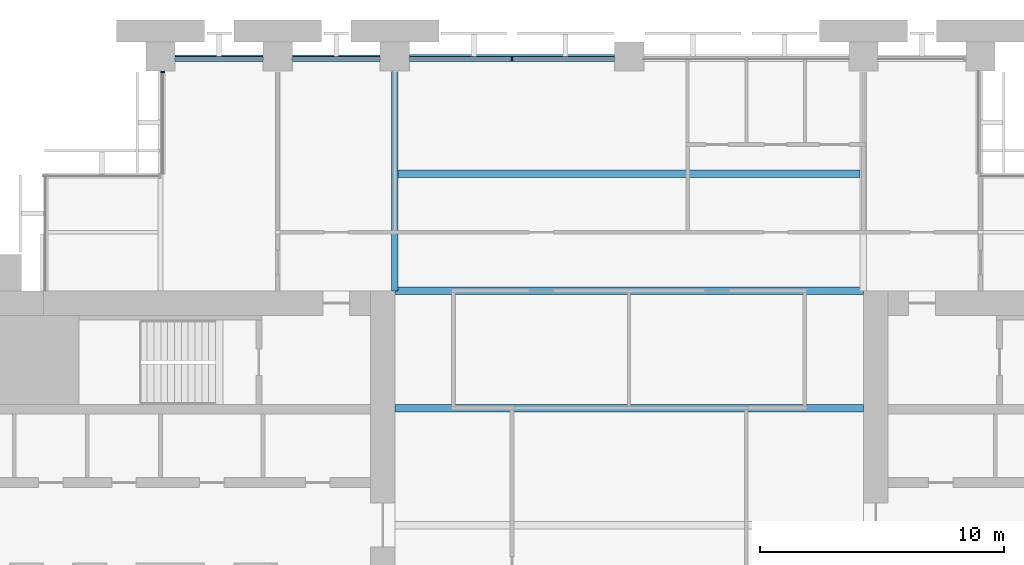
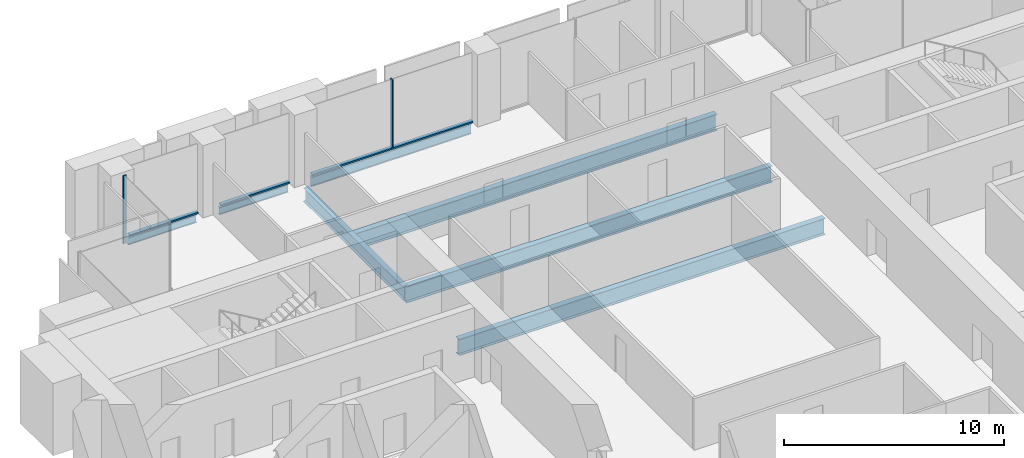
# One storey, part 6 of 14: 7 beams, 5 members, 2 elements without a shape of their own.
"""IFC4 building model written with IfcOpenShell, lengths in metres."""

from ifc_helpers import new_model, si_unit, direction, frame, origin, origin_2d, place, context, subcontext, project, spatial, rectangle, i_section, extrude, material, material_profile, profile_set, type_object, element, aggregate, save


model = new_model("IFC4")

# Units and contexts
model_context = context("Model", 3, precision=1e-05, world=origin(), true_north=direction((0.0, 1.0)))
body_context = subcontext(model_context, "Body", "Model", "MODEL_VIEW")
ifc_project = project(units=[si_unit("LENGTHUNIT", "METRE"), si_unit("AREAUNIT", "SQUARE_METRE"), si_unit("VOLUMEUNIT", "CUBIC_METRE"), si_unit("PLANEANGLEUNIT", "RADIAN"), si_unit("MASSUNIT", "GRAM", prefix="KILO")], contexts=[model_context])

# Site, building, storey
site_placement = place(None, origin())
site = spatial("IfcSite", under=ifc_project, at=site_placement, CompositionType="ELEMENT")
building_placement = place(site_placement, origin())
building = spatial("IfcBuilding", under=site, at=building_placement, Name="Baori Bourse Tower", CompositionType="ELEMENT")
storey_placement = place(building_placement, frame((0.0, 0.0, 112.10009765625)))
storey = spatial("IfcBuildingStorey", under=building, at=storey_placement, Name="L23", CompositionType="ELEMENT", Elevation=112.10009765625)

# Curtain wall, members
ifc_material_1 = material(Name="Pale anodised aluminium", Category="aluminium")
curtain_wall_type_1 = type_object("IfcCurtainWallType", Name="CW1 Curtain wall", PredefinedType="NOTDEFINED", material=ifc_material_1)
curtain_wall_1_placement = place(storey_placement, origin())
curtain_wall_1 = element("IfcCurtainWall", 1, at=curtain_wall_1_placement, inside=storey, type_object=curtain_wall_type_1, Name="Curtain wall CW1 L23 4", PredefinedType="NOTDEFINED")
ifc_material_2 = material(Name="Pale anodised aluminium", Category="aluminium")
ifc_material_profile_1 = material_profile(ifc_material_2, rectangle(XDim=0.199951171875, YDim=0.06005859375, at=origin_2d()), Name="Mullion 60x200")
ifc_profile_set_1 = profile_set([ifc_material_profile_1], Name="Pale anodised aluminium")
member_type_1 = type_object("IfcMemberType", Name="CW1 Curtain wall mullion", PredefinedType="MULLION", material=ifc_profile_set_1)
member_1_placement = place(storey_placement, frame((24.0, 47.89990234375, 0.079833984375), z_axis=(0.0, 0.0, 1.0), x_axis=(0.0, -1.0, 0.0)))
member_1 = element("IfcMember", 2, at=member_1_placement, type_object=member_type_1, Name="Curtain wall CW1 mullion", PredefinedType="MULLION", context=body_context, shape_type="SweptSolid", body=[
    extrude(rectangle(XDim=0.199951171875, YDim=0.06005859375, at=origin_2d()), origin(), (0.0, 0.0, 1.0), 3.760009765625),
])
ifc_material_3 = material(Name="Pale anodised aluminium", Category="aluminium")
ifc_material_profile_2 = material_profile(ifc_material_3, rectangle(XDim=0.199951171875, YDim=0.080078125, at=origin_2d()), Name="Transom 80x200")
ifc_profile_set_2 = profile_set([ifc_material_profile_2], Name="Pale anodised aluminium")
member_type_2 = type_object("IfcMemberType", Name="CW1 Curtain wall transom", PredefinedType="USERDEFINED", material=ifc_profile_set_2)
member_2_placement = place(storey_placement, frame((28.199951171875, 47.89990234375, 0.039794921875), z_axis=(-1.0, 0.0, 0.0), x_axis=(0.0, -1.0, 0.0)))
member_2 = element("IfcMember", 3, at=member_2_placement, type_object=member_type_2, Name="Curtain wall CW1 sill rail", ObjectType="TRANSOM", PredefinedType="USERDEFINED", context=body_context, shape_type="SweptSolid", body=[
    extrude(rectangle(XDim=0.199951171875, YDim=0.080078125, at=origin_2d()), origin(), (0.0, 0.0, 1.0), 8.39990234375),
])
member_3_placement = place(storey_placement, frame((18.60009765625, 47.89990234375, 0.039794921875), z_axis=(-1.0, 0.0, 0.0), x_axis=(0.0, -1.0, 0.0)))
member_3 = element("IfcMember", 4, at=member_3_placement, type_object=member_type_2, Name="Curtain wall CW1 sill rail", ObjectType="TRANSOM", PredefinedType="USERDEFINED", context=body_context, shape_type="SweptSolid", body=[
    extrude(rectangle(XDim=0.199951171875, YDim=0.080078125, at=origin_2d()), origin(), (0.0, 0.0, 1.0), 3.60009765625),
])
member_4_placement = place(storey_placement, frame((13.800048828125, 47.89990234375, 0.039794921875), z_axis=(-1.0, 0.0, 0.0), x_axis=(0.0, -1.0, 0.0)))
member_4 = element("IfcMember", 5, at=member_4_placement, type_object=member_type_2, Name="Curtain wall CW1 sill rail", ObjectType="TRANSOM", PredefinedType="USERDEFINED", context=body_context, shape_type="SweptSolid", body=[
    extrude(rectangle(XDim=0.199951171875, YDim=0.080078125, at=origin_2d()), origin(), (0.0, 0.0, 1.0), 3.60009765625),
])
aggregate(curtain_wall_1, [member_2, member_1, member_3, member_4])

# Curtain wall, member
ifc_material_4 = material(Name="Pale anodised aluminium", Category="aluminium")
curtain_wall_type_2 = type_object("IfcCurtainWallType", Name="CW2 Curtain wall", PredefinedType="NOTDEFINED", material=ifc_material_4)
curtain_wall_2_placement = place(storey_placement, origin())
curtain_wall_2 = element("IfcCurtainWall", 6, at=curtain_wall_2_placement, inside=storey, type_object=curtain_wall_type_2, Name="Curtain wall CW2 L23 5", PredefinedType="NOTDEFINED")
ifc_material_5 = material(Name="Pale anodised aluminium", Category="aluminium")
ifc_material_profile_3 = material_profile(ifc_material_5, rectangle(XDim=0.179931640625, YDim=0.054931640625, at=origin_2d()), Name="Mullion 55x180")
ifc_profile_set_3 = profile_set([ifc_material_profile_3], Name="Pale anodised aluminium")
member_type_3 = type_object("IfcMemberType", Name="CW2 Curtain wall mullion", PredefinedType="MULLION", material=ifc_profile_set_3)
member_5_placement = place(storey_placement, frame((9.68994140625, 47.37255859375, 0.06982421875), z_axis=(0.0, 0.0, 1.0), x_axis=(1.0, 0.0, 0.0)))
member_5 = element("IfcMember", 7, at=member_5_placement, type_object=member_type_3, Name="Curtain wall CW2 mullion", PredefinedType="MULLION", context=body_context, shape_type="SweptSolid", body=[
    extrude(rectangle(XDim=0.179931640625, YDim=0.054931640625, at=origin_2d()), origin(), (0.0, 0.0, 1.0), 3.77001953125),
])
aggregate(curtain_wall_2, [member_5])

# Beams
ifc_material_6 = material(Name="Steel A992 Gr 50", Category="steel")
ifc_material_profile_4 = material_profile(ifc_material_6, i_section(OverallWidth=0.140380859375, OverallDepth=0.40380859375, WebThickness=0.007080078125, FlangeThickness=0.01123046875, at=origin_2d()), Name="W16x31")
ifc_profile_set_4 = profile_set([ifc_material_profile_4], Name="Steel A992 Gr 50")
beam_type_1 = type_object("IfcBeamType", Name="Edge beam W16x31", PredefinedType="BEAM", material=ifc_profile_set_4)
for number, where, z_axis, x_axis, name in (
    (8, (10.199951171875, 48.0, -0.362060546875), (1.0, 0.0, 0.0), (0.0, 1.0, 0.0), "Edge beam L23"),
    (9, (15.0, 48.0, -0.362060546875), (1.0, 0.0, 0.0), (0.0, 1.0, 0.0), "Edge beam L23"),
):
    element("IfcBeam", number, at=place(storey_placement, frame(where, z_axis=z_axis, x_axis=x_axis)), inside=storey, type_object=beam_type_1, Name=name, PredefinedType="BEAM", context=body_context, shape_type="SweptSolid", body=[
        extrude(i_section(OverallWidth=0.140380859375, OverallDepth=0.40380859375, WebThickness=0.007080078125, FlangeThickness=0.01123046875, at=origin_2d()), origin(), (0.0, 0.0, 1.0), 3.60009765625),
    ])
ifc_material_7 = material(Name="Steel A992 Gr 50", Category="steel")
ifc_material_profile_5 = material_profile(ifc_material_7, i_section(OverallWidth=0.1650390625, OverallDepth=0.52587890625, WebThickness=0.0087890625, FlangeThickness=0.011474609375, at=origin_2d()), Name="W21x44")
ifc_profile_set_5 = profile_set([ifc_material_profile_5], Name="Steel A992 Gr 50")
beam_type_2 = type_object("IfcBeamType", Name="Edge beam W21x44", PredefinedType="BEAM", material=ifc_profile_set_5)
beam_1_placement = place(storey_placement, frame((19.800048828125, 48.0, -0.423095703125), z_axis=(1.0, 0.0, 0.0), x_axis=(0.0, 1.0, 0.0)))
element("IfcBeam", 10, at=beam_1_placement, inside=storey, type_object=beam_type_2, Name="Edge beam L23", PredefinedType="BEAM", context=body_context, shape_type="SweptSolid", body=[
    extrude(i_section(OverallWidth=0.1650390625, OverallDepth=0.52587890625, WebThickness=0.0087890625, FlangeThickness=0.011474609375, at=origin_2d()), origin(), (0.0, 0.0, 1.0), 8.39990234375),
])
ifc_material_8 = material(Name="Steel A992 Gr 50", Category="steel")
ifc_material_profile_6 = material_profile(ifc_material_8, i_section(OverallWidth=0.3046875, OverallDepth=0.904296875, WebThickness=0.01513671875, FlangeThickness=0.02001953125, at=origin_2d()), Name="W36x135")
ifc_profile_set_6 = profile_set([ifc_material_profile_6], Name="Steel A992 Gr 50")
beam_type_3 = type_object("IfcBeamType", Name="Floor beam W36x135", PredefinedType="BEAM", material=ifc_profile_set_6)
for number, where, z_axis, x_axis, name in (
    (11, (19.199951171875, 33.60009765625, -0.6123046875), (1.0, 0.0, 0.0), (0.0, 1.0, 0.0), "Floor beam L23"),
    (12, (19.199951171875, 38.39990234375, -0.6123046875), (1.0, 0.0, 0.0), (0.0, 1.0, 0.0), "Floor beam L23"),
):
    element("IfcBeam", number, at=place(storey_placement, frame(where, z_axis=z_axis, x_axis=x_axis)), inside=storey, type_object=beam_type_3, Name=name, PredefinedType="BEAM", context=body_context, shape_type="SweptSolid", body=[
        extrude(i_section(OverallWidth=0.3046875, OverallDepth=0.904296875, WebThickness=0.01513671875, FlangeThickness=0.02001953125, at=origin_2d()), origin(), (0.0, 0.0, 1.0), 19.199951171875),
    ])
beam_2_placement = place(storey_placement, frame((19.33203125, 43.199951171875, -0.6123046875), z_axis=(1.0, 0.0, 0.0), x_axis=(0.0, 1.0, 0.0)))
element("IfcBeam", 13, at=beam_2_placement, inside=storey, type_object=beam_type_3, Name="Floor beam L23", PredefinedType="BEAM", context=body_context, shape_type="SweptSolid", body=[
    extrude(i_section(OverallWidth=0.3046875, OverallDepth=0.904296875, WebThickness=0.01513671875, FlangeThickness=0.02001953125, at=origin_2d()), origin(), (0.0, 0.0, 1.0), 18.935791015625),
])
ifc_material_9 = material(Name="Steel A992 Gr 50", Category="steel")
ifc_material_profile_7 = material_profile(ifc_material_9, i_section(OverallWidth=0.26416015625, OverallDepth=0.749267578125, WebThickness=0.011962890625, FlangeThickness=0.015380859375, at=origin_2d()), Name="W30x90")
ifc_profile_set_7 = profile_set([ifc_material_profile_7], Name="Steel A992 Gr 50")
beam_type_4 = type_object("IfcBeamType", Name="Girder W30x90", PredefinedType="BEAM", material=ifc_profile_set_7)
beam_3_placement = place(storey_placement, frame((19.199951171875, 38.39990234375, -0.53466796875), z_axis=(0.0, 1.0, 0.0), x_axis=(-1.0, 0.0, 0.0)))
element("IfcBeam", 14, at=beam_3_placement, inside=storey, type_object=beam_type_4, Name="Girder L23", PredefinedType="BEAM", context=body_context, shape_type="SweptSolid", body=[
    extrude(i_section(OverallWidth=0.26416015625, OverallDepth=0.749267578125, WebThickness=0.011962890625, FlangeThickness=0.015380859375, at=origin_2d()), origin(), (0.0, 0.0, 1.0), 9.0),
])

save(model, "model.ifc")
